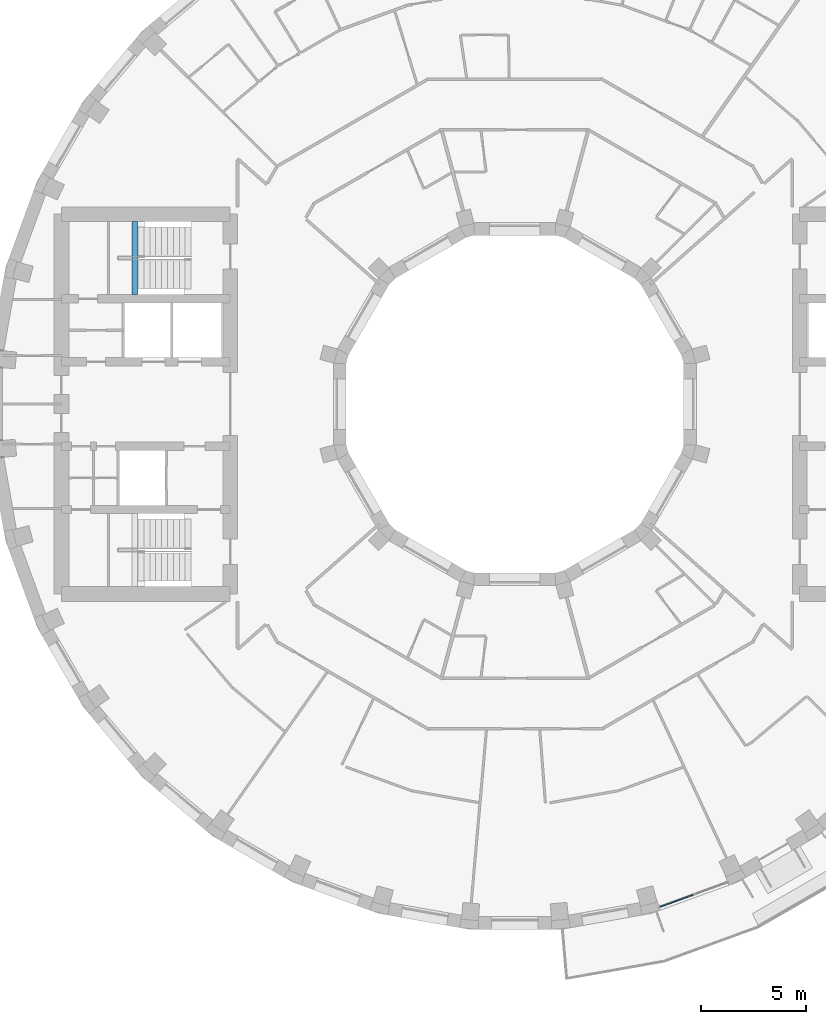
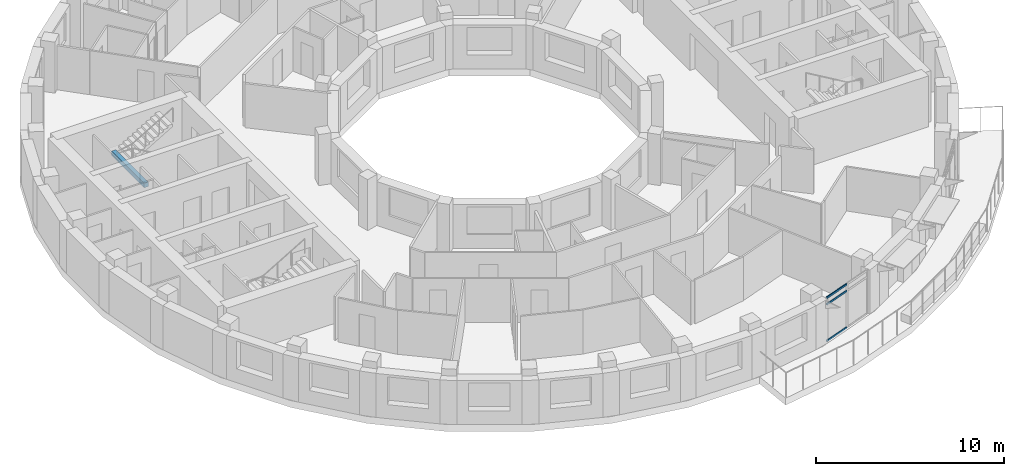
# One storey, part 3 of 15: 3 members, 1 beam, 1 element without a shape of its own.
"""IFC4 building model written with IfcOpenShell, lengths in metres."""

from ifc_helpers import new_model, si_unit, direction, frame, origin, origin_2d, place, context, subcontext, project, spatial, rectangle, extrude, material, layer, layer_set, material_profile, profile_set, type_object, element, aggregate, save


model = new_model("IFC4")

# Units and contexts
model_context = context("Model", 3, precision=1e-05, world=origin(), true_north=direction((0.0, 1.0)))
body_context = subcontext(model_context, "Body", "Model", "MODEL_VIEW")
ifc_project = project(units=[si_unit("LENGTHUNIT", "METRE"), si_unit("AREAUNIT", "SQUARE_METRE"), si_unit("VOLUMEUNIT", "CUBIC_METRE"), si_unit("PLANEANGLEUNIT", "RADIAN"), si_unit("MASSUNIT", "GRAM", prefix="KILO")], contexts=[model_context])

# Site, building, storey
site_placement = place(None, origin())
site = spatial("IfcSite", under=ifc_project, at=site_placement, CompositionType="ELEMENT")
building_placement = place(site_placement, origin())
building = spatial("IfcBuilding", under=site, at=building_placement, Name="Saqina Gate Tower", CompositionType="ELEMENT")
storey_placement = place(building_placement, frame((0.0, 0.0, 164.10009765625)))
storey = spatial("IfcBuildingStorey", under=building, at=storey_placement, Name="L46", CompositionType="ELEMENT", Elevation=164.10009765625)

# Curtain wall, members
ifc_material_1 = material(Name="Aluminium glazing", Category="aluminium")
ifc_layer = layer(ifc_material_1, 0.159912109375)
ifc_layer_set = layer_set([ifc_layer], Name="CWT-4")
curtain_wall_type = type_object("IfcCurtainWallType", Name="CWT-4", PredefinedType="NOTDEFINED", material=ifc_layer_set)
curtain_wall_placement = place(storey_placement, origin())
curtain_wall = element("IfcCurtainWall", 1, at=curtain_wall_placement, inside=storey, type_object=curtain_wall_type, Name="Terrace lounge glazing facet 29", PredefinedType="NOTDEFINED")
ifc_material_2 = material(Name="Aluminium", Category="aluminium")
ifc_material_profile_1 = material_profile(ifc_material_2, rectangle(XDim=0.06005859375, YDim=0.1201171875, at=origin_2d()), Name="Aluminium 60x120")
ifc_profile_set_1 = profile_set([ifc_material_profile_1], Name="Aluminium")
member_type = type_object("IfcMemberType", Name="CWT-4T", PredefinedType="USERDEFINED", material=ifc_profile_set_1)
member_1_placement = place(storey_placement, frame((6.902099609375, -23.831298828125, 0.02978515625), z_axis=(0.939714920276, 0.341958869765, 0.0), x_axis=(-0.341958869765, 0.939714920276, 0.0)))
member_1 = element("IfcMember", 2, at=member_1_placement, type_object=member_type, Name="CW4-29 transom 1.1", ObjectType="TRANSOM", PredefinedType="USERDEFINED", context=body_context, shape_type="SweptSolid", body=[
    extrude(rectangle(XDim=0.06005859375, YDim=0.1201171875, at=origin_2d()), origin(), (0.0, 0.0, 1.0), 1.635009765625),
])
member_2_placement = place(storey_placement, frame((6.902099609375, -23.831298828125, 2.39990234375), z_axis=(0.939714920276, 0.341958869765, 0.0), x_axis=(-0.341958869765, 0.939714920276, 0.0)))
member_2 = element("IfcMember", 3, at=member_2_placement, type_object=member_type, Name="CW4-29 transom 1.2", ObjectType="TRANSOM", PredefinedType="USERDEFINED", context=body_context, shape_type="SweptSolid", body=[
    extrude(rectangle(XDim=0.06005859375, YDim=0.1201171875, at=origin_2d()), origin(), (0.0, 0.0, 1.0), 1.635009765625),
])
member_3_placement = place(storey_placement, frame((6.902099609375, -23.831298828125, 2.81982421875), z_axis=(0.939714920276, 0.341958869765, 0.0), x_axis=(-0.341958869765, 0.939714920276, 0.0)))
member_3 = element("IfcMember", 4, at=member_3_placement, type_object=member_type, Name="CW4-29 transom 1.3", ObjectType="TRANSOM", PredefinedType="USERDEFINED", context=body_context, shape_type="SweptSolid", body=[
    extrude(rectangle(XDim=0.06005859375, YDim=0.1201171875, at=origin_2d()), origin(), (0.0, 0.0, 1.0), 1.635009765625),
])
aggregate(curtain_wall, [member_1, member_2, member_3])

# Beam
ifc_material_3 = material(Name="Concrete C40/50", Category="concrete")
ifc_material_profile_2 = material_profile(ifc_material_3, rectangle(XDim=0.25, YDim=0.300048828125, at=origin_2d()), Name="STAIR LANDING BEAM")
ifc_profile_set_2 = profile_set([ifc_material_profile_2], Name="Concrete C40/50")
beam_type = type_object("IfcBeamType", Name="STAIR LANDING BEAM", PredefinedType="BEAM", material=ifc_profile_set_2)
beam_placement = place(storey_placement, frame((-18.02001953125, 5.199951171875, 1.25), z_axis=(0.0, 1.0, 0.0), x_axis=(-1.0, 0.0, 0.0)))
element("IfcBeam", 5, at=beam_placement, inside=storey, type_object=beam_type, Name="EXIT STAIR 3 LANDING BEAM", PredefinedType="BEAM", context=body_context, shape_type="SweptSolid", body=[
    extrude(rectangle(XDim=0.25, YDim=0.300048828125, at=origin_2d()), origin(), (0.0, 0.0, 1.0), 3.449951171875),
])

save(model, "model.ifc")
